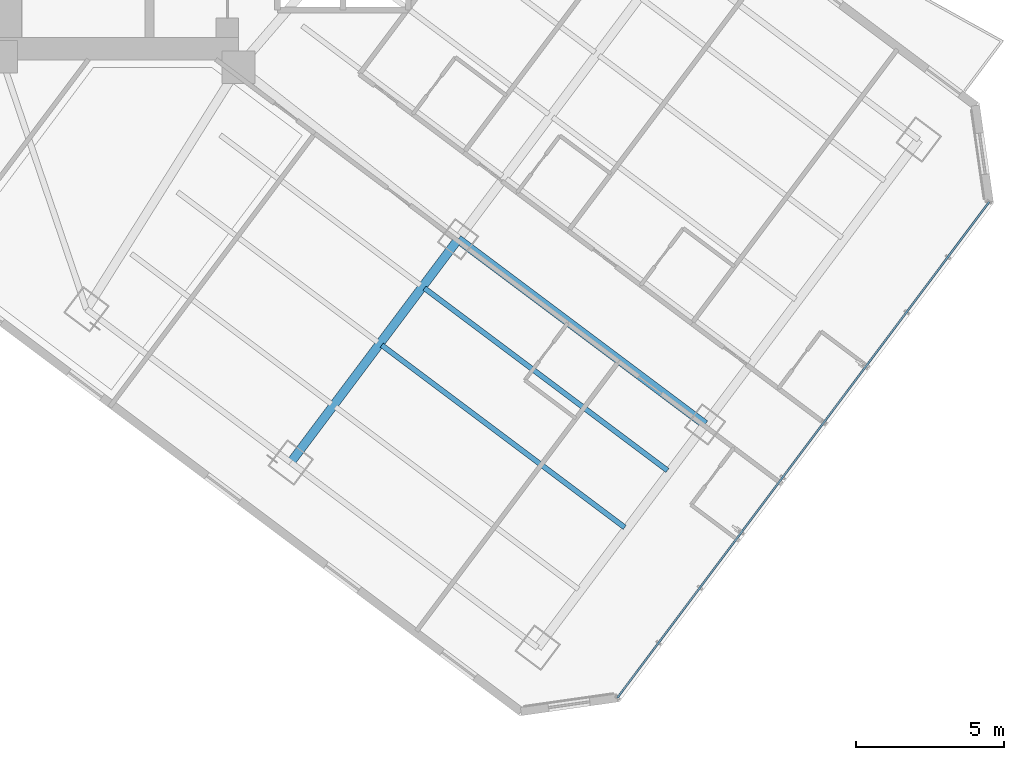
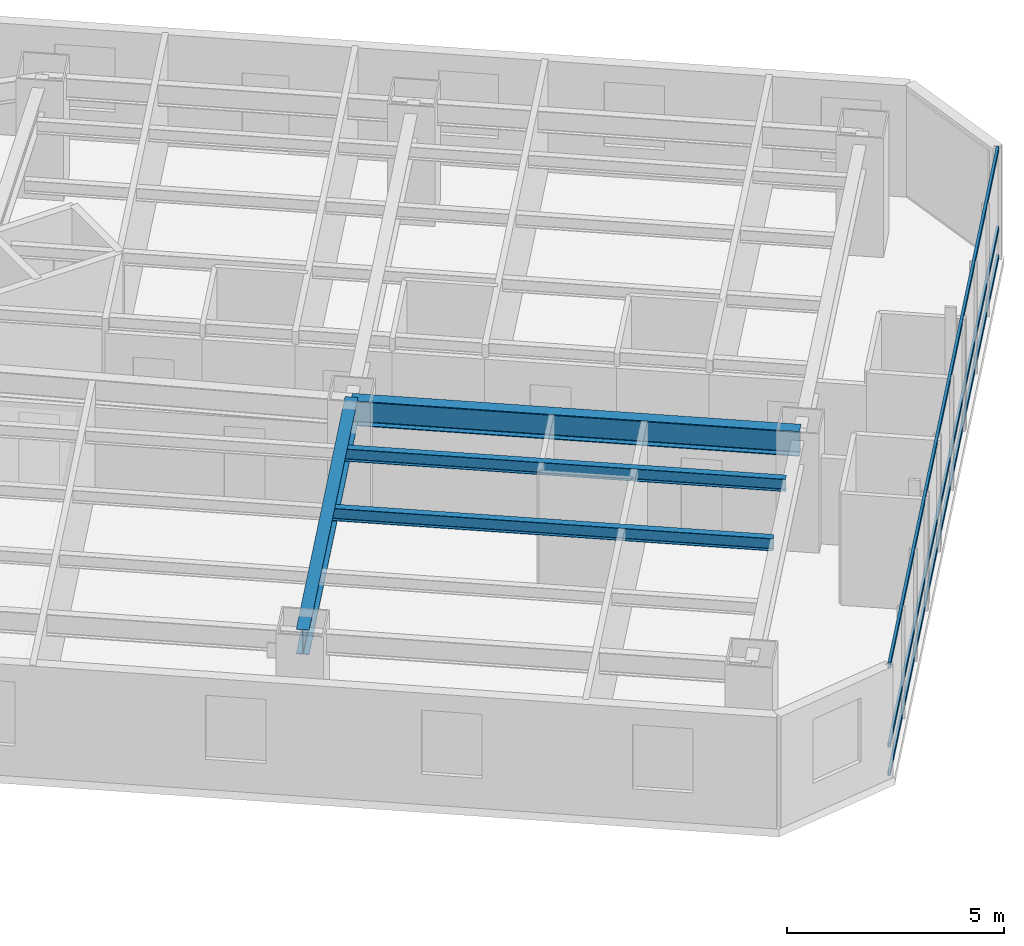
# One storey, part 9 of 38: 4 beams, 3 members, 1 element without a shape of its own.
"""IFC4 building model written with IfcOpenShell, lengths in metres."""

from ifc_helpers import new_model, si_unit, direction, frame, origin, origin_2d, place, context, subcontext, project, spatial, hollow_rectangle, i_section, extrude, material, layer, layer_set, material_profile, profile_set, type_object, element, aggregate, save


model = new_model("IFC4")

# Units and contexts
model_context = context("Model", 3, precision=1e-05, world=origin(), true_north=direction((0.0, 1.0)))
body_context = subcontext(model_context, "Body", "Model", "MODEL_VIEW")
ifc_project = project(units=[si_unit("LENGTHUNIT", "METRE"), si_unit("AREAUNIT", "SQUARE_METRE"), si_unit("VOLUMEUNIT", "CUBIC_METRE"), si_unit("PLANEANGLEUNIT", "RADIAN"), si_unit("MASSUNIT", "GRAM", prefix="KILO")], contexts=[model_context])

# Site, building, storey
site_placement = place(None, origin())
site = spatial("IfcSite", under=ifc_project, at=site_placement, CompositionType="ELEMENT")
building_placement = place(site_placement, origin())
building = spatial("IfcBuilding", under=site, at=building_placement, Name="Hatsunagi Terrace Concourse", CompositionType="ELEMENT")
storey_placement = place(building_placement, frame((0.0, 0.0, 60.050048828125)))
storey = spatial("IfcBuildingStorey", under=building, at=storey_placement, Name="L15", CompositionType="ELEMENT", Elevation=60.050048828125)

# Curtain wall, members
ifc_material_1 = material(Name="Anodised Aluminium Alloy 6063-T5", Category="aluminium")
ifc_layer = layer(ifc_material_1, 0.199951171875)
ifc_layer_set = layer_set([ifc_layer], Name="HotelFacade_CW02")
curtain_wall_type = type_object("IfcCurtainWallType", Name="HotelFacade_CW02", PredefinedType="NOTDEFINED", material=ifc_layer_set)
curtain_wall_placement = place(storey_placement, origin())
curtain_wall = element("IfcCurtainWall", 1, at=curtain_wall_placement, inside=storey, type_object=curtain_wall_type, Name="Unitised Curtain Wall CW-02 CW-L15-03", PredefinedType="NOTDEFINED")
ifc_material_2 = material(Name="Anodised Aluminium Alloy 6063-T5", Category="aluminium")
ifc_material_profile_1 = material_profile(ifc_material_2, hollow_rectangle(XDim=0.06494140625, YDim=0.139892578125, WallThickness=0.00390625, at=origin_2d()), Name="ALU-TRN-140x65x4")
ifc_profile_set_1 = profile_set([ifc_material_profile_1], Name="Anodised Aluminium Alloy 6063-T5")
member_type = type_object("IfcMemberType", Name="CurtainWallTransom_140x65", PredefinedType="USERDEFINED", material=ifc_profile_set_1)
member_1_placement = place(storey_placement, frame((69.093017578125, 19.657958984375, 0.050048828125), z_axis=(-0.599970072971, -0.800022444397, 0.0), x_axis=(0.800022444397, -0.599970072971, 0.0)))
member_1 = element("IfcMember", 2, at=member_1_placement, type_object=member_type, Name="Curtain Wall Transom TRN-02", ObjectType="TRANSOM", PredefinedType="USERDEFINED", context=body_context, shape_type="SweptSolid", body=[
    extrude(hollow_rectangle(XDim=0.06494140625, YDim=0.139892578125, WallThickness=0.00390625, at=origin_2d()), origin(), (0.0, 0.0, 1.0), 20.884521484375),
])
member_2_placement = place(storey_placement, frame((69.093017578125, 19.657958984375, 0.849853515625), z_axis=(-0.599970072971, -0.800022444397, 0.0), x_axis=(0.800022444397, -0.599970072971, 0.0)))
member_2 = element("IfcMember", 3, at=member_2_placement, type_object=member_type, Name="Curtain Wall Transom TRN-02", ObjectType="TRANSOM", PredefinedType="USERDEFINED", context=body_context, shape_type="SweptSolid", body=[
    extrude(hollow_rectangle(XDim=0.06494140625, YDim=0.139892578125, WallThickness=0.00390625, at=origin_2d()), origin(), (0.0, 0.0, 1.0), 20.884521484375),
])
member_3_placement = place(storey_placement, frame((69.093017578125, 19.657958984375, 3.079833984375), z_axis=(-0.599970072971, -0.800022444397, 0.0), x_axis=(0.800022444397, -0.599970072971, 0.0)))
member_3 = element("IfcMember", 4, at=member_3_placement, type_object=member_type, Name="Curtain Wall Transom TRN-02", ObjectType="TRANSOM", PredefinedType="USERDEFINED", context=body_context, shape_type="SweptSolid", body=[
    extrude(hollow_rectangle(XDim=0.06494140625, YDim=0.139892578125, WallThickness=0.00390625, at=origin_2d()), origin(), (0.0, 0.0, 1.0), 20.884521484375),
])
aggregate(curtain_wall, [member_1, member_2, member_3])

# Beams
ifc_material_3 = material(Name="Steel SN490B", Category="steel")
ifc_material_profile_2 = material_profile(ifc_material_3, i_section(OverallWidth=0.300048828125, OverallDepth=0.699951171875, WebThickness=0.012939453125, FlangeThickness=0.02392578125, FilletRadius=0.02197265625, at=origin_2d()), Name="H-700x300x13x24")
ifc_profile_set_2 = profile_set([ifc_material_profile_2], Name="Steel SN490B")
beam_type_1 = type_object("IfcBeamType", Name="HotelFloorGirder_H_700x300", PredefinedType="BEAM", material=ifc_profile_set_2)
beam_1_placement = place(storey_placement, frame((45.56005859375, 10.8798828125, 2.780029296875), z_axis=(0.599991688754, 0.800006233367, 0.0), x_axis=(-0.800006233367, 0.599991688754, 0.0)))
element("IfcBeam", 5, at=beam_1_placement, inside=storey, type_object=beam_type_1, Name="Beam G-04 BM-L15-SET-2A", PredefinedType="BEAM", context=body_context, shape_type="SweptSolid", body=[
    extrude(i_section(OverallWidth=0.300048828125, OverallDepth=0.699951171875, WebThickness=0.012939453125, FlangeThickness=0.02392578125, FilletRadius=0.02197265625, at=origin_2d()), origin(), (0.0, 0.0, 1.0), 9.39990234375),
])
beam_2_placement = place(storey_placement, frame((51.199951171875, 18.39990234375, 2.780029296875), z_axis=(0.800002816985, -0.599996244001, 0.0), x_axis=(0.599996244001, 0.800002816985, 0.0)))
element("IfcBeam", 6, at=beam_2_placement, inside=storey, type_object=beam_type_1, Name="Beam G-04 BM-L15-SE-M3", PredefinedType="BEAM", context=body_context, shape_type="SweptSolid", body=[
    extrude(i_section(OverallWidth=0.300048828125, OverallDepth=0.699951171875, WebThickness=0.012939453125, FlangeThickness=0.02392578125, FilletRadius=0.02197265625, at=origin_2d()), origin(), (0.0, 0.0, 1.0), 10.400146484375),
])
ifc_material_4 = material(Name="Steel SN490B", Category="steel")
ifc_material_profile_3 = material_profile(ifc_material_4, i_section(OverallWidth=0.175048828125, OverallDepth=0.35009765625, WebThickness=0.007080078125, FlangeThickness=0.010986328125, FilletRadius=0.012939453125, at=origin_2d()), Name="H-350x175x7x11")
ifc_profile_set_3 = profile_set([ifc_material_profile_3], Name="Steel SN490B")
beam_type_2 = type_object("IfcBeamType", Name="HotelJoist_H_350x175", PredefinedType="JOIST", material=ifc_profile_set_3)
beam_3_placement = place(storey_placement, frame((48.6279296875, 14.8291015625, 2.954833984375), z_axis=(0.799994272423, -0.600007636694, 0.0), x_axis=(0.600007636694, 0.799994272423, 0.0)))
element("IfcBeam", 7, at=beam_3_placement, inside=storey, type_object=beam_type_2, Name="Beam J-02 J-L15-SE-3-72", PredefinedType="JOIST", context=body_context, shape_type="SweptSolid", body=[
    extrude(i_section(OverallWidth=0.175048828125, OverallDepth=0.35009765625, WebThickness=0.007080078125, FlangeThickness=0.010986328125, FilletRadius=0.012939453125, at=origin_2d()), origin(), (0.0, 0.0, 1.0), 10.230224609375),
])
beam_4_placement = place(storey_placement, frame((50.068115234375, 16.7490234375, 2.954833984375), z_axis=(0.799997136125, -0.600003818481, 0.0), x_axis=(0.600003818481, 0.799997136125, 0.0)))
element("IfcBeam", 8, at=beam_4_placement, inside=storey, type_object=beam_type_2, Name="Beam J-02 J-L15-SE-3-96", PredefinedType="JOIST", context=body_context, shape_type="SweptSolid", body=[
    extrude(i_section(OverallWidth=0.175048828125, OverallDepth=0.35009765625, WebThickness=0.007080078125, FlangeThickness=0.010986328125, FilletRadius=0.012939453125, at=origin_2d()), origin(), (0.0, 0.0, 1.0), 10.229736328125),
])

save(model, "model.ifc")
